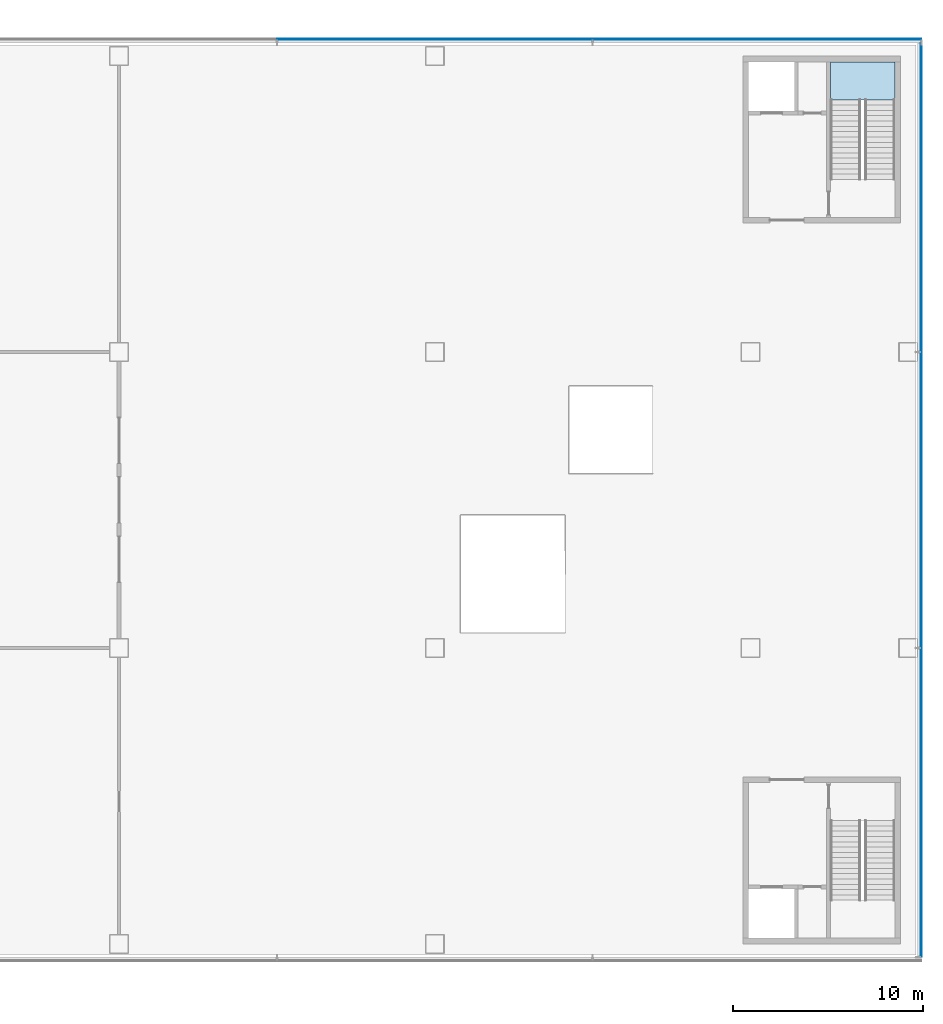
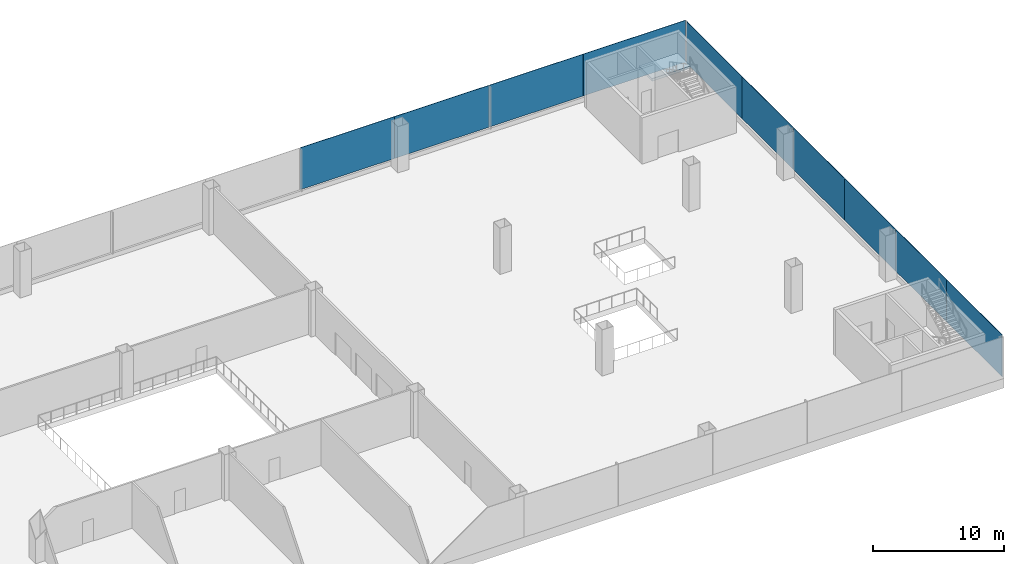
# One storey, part 17 of 53: 10 plates, 1 slab, 3 elements without a shape of their own.
"""IFC4 building model written with IfcOpenShell, lengths in metres."""

import ifcopenshell
import ifcopenshell.guid

model = None  # the IFC model being written
_history = None  # IfcOwnerHistory: only IFC2X3 demands one
_inside = {}  # id of a spatial element -> (the spatial element, [elements in it])
_under = {}  # id of a project, library or spatial element -> (it, [spatial elements below it])
_declared = {}  # id of a project -> (the project, [libraries it declares])
_typed = {}  # id of a type object -> (the type object, [elements of that type])
_made_of = {}  # id of a material, layer set ... -> (it, [elements and type objects made of it])


def new_model(schema):
    """Start an empty IFC model of exactly this schema.

    Asked for "IFC4X3", IfcOpenShell would pick the latest addendum, in which some entities
    have other attributes; the version numbers below select the first issue.
    IFC2X3 requires an IfcOwnerHistory on every rooted entity: one is made here for all.
    """
    global model, _history
    if schema == "IFC4X3":
        model = ifcopenshell.file(schema_version=(4, 3, 0, 0))
    else:
        model = ifcopenshell.file(schema=schema)
    _inside.clear()
    _under.clear()
    _declared.clear()
    _typed.clear()
    _made_of.clear()
    _history = None
    if model.schema == "IFC2X3":
        org = make("IfcOrganization", Name="unknown")
        user = make(
            "IfcPersonAndOrganization",
            ThePerson=make("IfcPerson", FamilyName="unknown"),
            TheOrganization=org,
        )
        app = make(
            "IfcApplication",
            ApplicationDeveloper=org,
            Version="unknown",
            ApplicationFullName="unknown",
            ApplicationIdentifier="unknown",
        )
        _history = make(
            "IfcOwnerHistory",
            OwningUser=user,
            OwningApplication=app,
            ChangeAction="ADDED",
            CreationDate=0,
        )
    return model


def make(cls, **values):
    """One entity of the class cls with the attributes given. An attribute that is None is left unset."""
    return model.create_entity(
        cls, **{name: value for name, value in values.items() if value is not None}
    )


def rooted(cls, **values):
    """An entity with a GlobalId (a new one), such as an element, a storey or a relation."""
    return make(cls, GlobalId=ifcopenshell.guid.new(), OwnerHistory=_history, **values)


def si_unit(unit_type, name, prefix=None):
    """IfcSIUnit, for example si_unit("LENGTHUNIT", "METRE", prefix="MILLI")."""
    return make("IfcSIUnit", UnitType=unit_type, Prefix=prefix, Name=name)


def assignment(units):
    """IfcUnitAssignment: the units of a project."""
    return None if units is None else make("IfcUnitAssignment", Units=units)


def point(xyz):
    """IfcCartesianPoint."""
    return None if xyz is None else make("IfcCartesianPoint", Coordinates=xyz)


def direction(xyz):
    """IfcDirection."""
    return None if xyz is None else make("IfcDirection", DirectionRatios=xyz)


def frame(location, z_axis=None, x_axis=None):
    """IfcAxis2Placement3D, a coordinate frame: its origin and axes. An axis left out is left unset."""
    return make(
        "IfcAxis2Placement3D",
        Location=point(location),
        Axis=direction(z_axis),
        RefDirection=direction(x_axis),
    )


def frame_2d(location, x_axis=None):
    """IfcAxis2Placement2D, a coordinate frame in the plane: its origin and x axis."""
    return make(
        "IfcAxis2Placement2D", Location=point(location), RefDirection=direction(x_axis)
    )


def origin():
    """The frame at (0, 0, 0) with its axes left unset."""
    return frame((0.0, 0.0, 0.0))


def origin_2d():
    """The frame at (0, 0) in the plane with its x axis left unset."""
    return frame_2d((0.0, 0.0))


def place(relative_to, where):
    """IfcLocalPlacement: puts the frame where relative to a parent placement (None: the world)."""
    return make(
        "IfcLocalPlacement", PlacementRelTo=relative_to, RelativePlacement=where
    )


def context(
    kind, dimensions, precision=None, world=None, true_north=None, identifier=None
):
    """IfcGeometricRepresentationContext, for example the 3D "Model" context."""
    return make(
        "IfcGeometricRepresentationContext",
        ContextIdentifier=identifier,
        ContextType=kind,
        CoordinateSpaceDimension=dimensions,
        Precision=precision,
        WorldCoordinateSystem=world,
        TrueNorth=true_north,
    )


def subcontext(parent, identifier, kind, view, scale=None):
    """IfcGeometricRepresentationSubContext, for example "Body" below "Model"."""
    return make(
        "IfcGeometricRepresentationSubContext",
        ContextIdentifier=identifier,
        ContextType=kind,
        ParentContext=parent,
        TargetScale=scale,
        TargetView=view,
    )


def project(units=None, contexts=None):
    """IfcProject with its units and contexts."""
    return rooted(
        "IfcProject",
        Name="project",
        RepresentationContexts=contexts,
        UnitsInContext=assignment(units),
    )


def spatial(cls, under=None, at=None, **own):
    """A site, building, storey or space (cls), placed at a placement, below another one or the project."""
    s = rooted(cls, ObjectPlacement=at, **own)
    if under is not None:
        _under.setdefault(under.id(), (under, []))[1].append(s)
    return s


def polyline(points):
    """IfcPolyline through the points."""
    return make("IfcPolyline", Points=[point(p) for p in points])


def profile(cls, at=None, kind="AREA", **sizes):
    """A parametric profile (cls). Its sizes go by their IFC names, for example OverallWidth=200.0."""
    return make(cls, ProfileType=kind, Position=at, **sizes)


def rectangle(**sizes):
    """IfcRectangleProfileDef."""
    return profile("IfcRectangleProfileDef", **sizes)


def outline(outer, holes=None, kind="AREA"):
    """IfcArbitraryClosedProfileDef: a profile drawn as a closed curve; with holes, ...WithVoids."""
    if holes is None:
        return make("IfcArbitraryClosedProfileDef", ProfileType=kind, OuterCurve=outer)
    return make(
        "IfcArbitraryProfileDefWithVoids",
        ProfileType=kind,
        OuterCurve=outer,
        InnerCurves=holes,
    )


def extrude(swept, where, along, depth):
    """IfcExtrudedAreaSolid: the profile swept, set in the frame where, extruded along a direction by depth."""
    return make(
        "IfcExtrudedAreaSolid",
        SweptArea=swept,
        Position=where,
        ExtrudedDirection=direction(along),
        Depth=depth,
    )


def shape(context_of_items, identifier, shape_type, items):
    """IfcShapeRepresentation: the items that make up one representation, for example the "Body"."""
    return make(
        "IfcShapeRepresentation",
        ContextOfItems=context_of_items,
        RepresentationIdentifier=identifier,
        RepresentationType=shape_type,
        Items=items,
    )


def material(Name=None, Category=None):
    """IfcMaterial."""
    return make("IfcMaterial", Name=Name, Category=Category)


def layer(
    of_material, thickness, ventilated=None, Name=None, Category=None, Priority=None
):
    """IfcMaterialLayer: one layer of a wall or slab, of a material (None: an air gap)."""
    return make(
        "IfcMaterialLayer",
        Material=of_material,
        LayerThickness=thickness,
        IsVentilated=ventilated,
        Name=Name,
        Category=Category,
        Priority=Priority,
    )


def layer_set(layers, Name=None):
    """IfcMaterialLayerSet."""
    return make("IfcMaterialLayerSet", MaterialLayers=layers, LayerSetName=Name)


def made_of(thing, what):
    """Note that an element or type object is made of a material, layer set ...; save() writes the relation."""
    if what is not None:
        _made_of.setdefault(what.id(), (what, []))[1].append(thing)
    return thing


def type_object(cls, material=None, **own):
    """A type object (cls), such as IfcWallType, which elements share."""
    return made_of(rooted(cls, **own), material)


def element(
    cls,
    number,
    at=None,
    inside=None,
    cuts=None,
    type_object=None,
    material=None,
    context=None,
    identifier="Body",
    shape_type=None,
    held_by="IfcProductDefinitionShape",
    body=None,
    shapes=None,
    **own,
):
    """One element of the class cls, such as IfcWall. Its Tag is "e" and its number.

    at: its placement. inside: the storey or other place that contains it. cuts: it is an
    opening in that element (IfcRelVoidsElement). A single representation is given by context,
    identifier, shape_type and body (its items); several are given by shapes. held_by: the class
    of the entity that holds the representations. save() writes the other relations.
    """
    e = rooted(cls, Tag="e%d" % number, ObjectPlacement=at, **own)
    if body is not None:
        shapes = [shape(context, identifier, shape_type, body)]
    if shapes is not None:
        e.Representation = make(held_by, Representations=shapes)
    if inside is not None:
        _inside.setdefault(inside.id(), (inside, []))[1].append(e)
    if cuts is not None:
        rooted(
            "IfcRelVoidsElement", RelatingBuildingElement=cuts, RelatedOpeningElement=e
        )
    if type_object is not None:
        _typed.setdefault(type_object.id(), (type_object, []))[1].append(e)
    return made_of(e, material)


def aggregate(whole, parts):
    """IfcRelAggregates: a whole, such as a stair, and the parts it consists of."""
    return rooted("IfcRelAggregates", RelatingObject=whole, RelatedObjects=parts)


def save(model, path):
    """Write the relations noted so far, then the file.

    IfcRelAggregates (storeys below a building ...), IfcRelContainedInSpatialStructure (elements
    in a storey), IfcRelDefinesByType, IfcRelAssociatesMaterial and IfcRelDeclares: one each for
    every whole, place, type object, material and project.
    """
    for whole, parts in _under.values():
        aggregate(whole, parts)
    for where, things in _inside.values():
        rooted(
            "IfcRelContainedInSpatialStructure",
            RelatedElements=things,
            RelatingStructure=where,
        )
    for kind, things in _typed.values():
        rooted("IfcRelDefinesByType", RelatedObjects=things, RelatingType=kind)
    for what, things in _made_of.values():
        rooted("IfcRelAssociatesMaterial", RelatedObjects=things, RelatingMaterial=what)
    for by, libraries in _declared.values():
        rooted("IfcRelDeclares", RelatingContext=by, RelatedDefinitions=libraries)
    model.write(path)


model = new_model("IFC4")

# Units and contexts
model_context = context("Model", 3, precision=1e-05, world=origin(), true_north=direction((0.0, 1.0)))
body_context = subcontext(model_context, "Body", "Model", "MODEL_VIEW")
ifc_project = project(units=[si_unit("LENGTHUNIT", "METRE"), si_unit("AREAUNIT", "SQUARE_METRE"), si_unit("VOLUMEUNIT", "CUBIC_METRE"), si_unit("PLANEANGLEUNIT", "RADIAN"), si_unit("MASSUNIT", "GRAM", prefix="KILO")], contexts=[model_context])

# Site, building, storey
site_placement = place(None, origin())
site = spatial("IfcSite", under=ifc_project, at=site_placement, CompositionType="ELEMENT")
building_placement = place(site_placement, origin())
building = spatial("IfcBuilding", under=site, at=building_placement, Name="Hakoniwa Tower and Hamabe Station Hall", CompositionType="ELEMENT")
storey_placement = place(building_placement, frame((0.0, 0.0, 15.0)))
storey = spatial("IfcBuildingStorey", under=building, at=storey_placement, Name="L03", CompositionType="ELEMENT", Elevation=15.0)

# Curtain wall, plates
ifc_material_1 = material(Name="Dark low-e laminated glass", Category="glass")
ifc_layer_1 = layer(ifc_material_1, 0.199951171875)
ifc_layer_set_1 = layer_set([ifc_layer_1], Name="CW-7 STATION")
curtain_wall_type = type_object("IfcCurtainWallType", Name="CW-7 STATION", PredefinedType="NOTDEFINED", material=ifc_layer_set_1)
curtain_wall_1_placement = place(storey_placement, origin())
curtain_wall_1 = element("IfcCurtainWall", 1, at=curtain_wall_1_placement, inside=storey, type_object=curtain_wall_type, Name="Station curtain wall L03 east", PredefinedType="NOTDEFINED")
ifc_material_2 = material(Name="Dark low-e laminated glass", Category="glass")
ifc_layer_2 = layer(ifc_material_2, 0.0400390625)
ifc_layer_set_2 = layer_set([ifc_layer_2], Name="CW-7 STATION GLASS UNIT")
plate_type = type_object("IfcPlateType", Name="CW-7 STATION GLASS UNIT", PredefinedType="CURTAIN_PANEL", material=ifc_layer_set_2)
plate_1_placement = place(storey_placement, frame((169.8359375, -19.85009765625, 0.35009765625), z_axis=(0.0, 0.0, 1.0), x_axis=(0.0, 1.0, 0.0)))
plate_1 = element("IfcPlate", 2, at=plate_1_placement, type_object=plate_type, Name="CW-7 glass unit", PredefinedType="CURTAIN_PANEL", context=body_context, shape_type="SweptSolid", body=[
    extrude(rectangle(XDim=8.47998046875, YDim=0.0400390625, at=origin_2d()), origin(), (0.0, 0.0, 1.0), 3.89990234375),
])
plate_2_placement = place(storey_placement, frame((169.8359375, -11.699951171875, 0.35009765625), z_axis=(0.0, 0.0, 1.0), x_axis=(0.0, 1.0, 0.0)))
plate_2 = element("IfcPlate", 3, at=plate_2_placement, type_object=plate_type, Name="CW-7 glass unit", PredefinedType="CURTAIN_PANEL", context=body_context, shape_type="SweptSolid", body=[
    extrude(rectangle(XDim=7.780029296875, YDim=0.0400390625, at=origin_2d()), origin(), (0.0, 0.0, 1.0), 3.89990234375),
])
plate_3_placement = place(storey_placement, frame((169.8359375, -3.89990234375, 0.35009765625), z_axis=(0.0, 0.0, 1.0), x_axis=(0.0, 1.0, 0.0)))
plate_3 = element("IfcPlate", 4, at=plate_3_placement, type_object=plate_type, Name="CW-7 glass unit", PredefinedType="CURTAIN_PANEL", context=body_context, shape_type="SweptSolid", body=[
    extrude(rectangle(XDim=7.780029296875, YDim=0.0400390625, at=origin_2d()), origin(), (0.0, 0.0, 1.0), 3.89990234375),
])
plate_4_placement = place(storey_placement, frame((169.8359375, 3.89990234375, 0.35009765625), z_axis=(0.0, 0.0, 1.0), x_axis=(0.0, 1.0, 0.0)))
plate_4 = element("IfcPlate", 5, at=plate_4_placement, type_object=plate_type, Name="CW-7 glass unit", PredefinedType="CURTAIN_PANEL", context=body_context, shape_type="SweptSolid", body=[
    extrude(rectangle(XDim=7.780029296875, YDim=0.0400390625, at=origin_2d()), origin(), (0.0, 0.0, 1.0), 3.89990234375),
])
plate_5_placement = place(storey_placement, frame((169.8359375, 11.699951171875, 0.35009765625), z_axis=(0.0, 0.0, 1.0), x_axis=(0.0, 1.0, 0.0)))
plate_5 = element("IfcPlate", 6, at=plate_5_placement, type_object=plate_type, Name="CW-7 glass unit", PredefinedType="CURTAIN_PANEL", context=body_context, shape_type="SweptSolid", body=[
    extrude(rectangle(XDim=7.780029296875, YDim=0.0400390625, at=origin_2d()), origin(), (0.0, 0.0, 1.0), 3.89990234375),
])
plate_6_placement = place(storey_placement, frame((169.8359375, 19.85009765625, 0.35009765625), z_axis=(0.0, 0.0, 1.0), x_axis=(0.0, 1.0, 0.0)))
plate_6 = element("IfcPlate", 7, at=plate_6_placement, type_object=plate_type, Name="CW-7 glass unit", PredefinedType="CURTAIN_PANEL", context=body_context, shape_type="SweptSolid", body=[
    extrude(rectangle(XDim=8.47998046875, YDim=0.0400390625, at=origin_2d()), origin(), (0.0, 0.0, 1.0), 3.89990234375),
])
aggregate(curtain_wall_1, [plate_1, plate_2, plate_3, plate_4, plate_5, plate_6])

curtain_wall_2_placement = place(storey_placement, origin())
curtain_wall_2 = element("IfcCurtainWall", 8, at=curtain_wall_2_placement, inside=storey, type_object=curtain_wall_type, Name="Station curtain wall L03 north", PredefinedType="NOTDEFINED")
plate_7_placement = place(storey_placement, frame((165.340087890625, 24.285888671875, 0.35009765625), z_axis=(0.0, 0.0, 1.0), x_axis=(-1.0, 0.0, 0.0)))
plate_7 = element("IfcPlate", 9, at=plate_7_placement, type_object=plate_type, Name="CW-7 glass unit", PredefinedType="CURTAIN_PANEL", context=body_context, shape_type="SweptSolid", body=[
    extrude(rectangle(XDim=9.0, YDim=0.0400390625, at=origin_2d()), origin(), (0.0, 0.0, 1.0), 3.89990234375),
])
plate_8_placement = place(storey_placement, frame((156.669921875, 24.285888671875, 0.35009765625), z_axis=(0.0, 0.0, 1.0), x_axis=(-1.0, 0.0, 0.0)))
plate_8 = element("IfcPlate", 10, at=plate_8_placement, type_object=plate_type, Name="CW-7 glass unit", PredefinedType="CURTAIN_PANEL", context=body_context, shape_type="SweptSolid", body=[
    extrude(rectangle(XDim=8.300048828125, YDim=0.0400390625, at=origin_2d()), origin(), (0.0, 0.0, 1.0), 3.89990234375),
])
plate_9_placement = place(storey_placement, frame((148.35009765625, 24.285888671875, 0.35009765625), z_axis=(0.0, 0.0, 1.0), x_axis=(-1.0, 0.0, 0.0)))
plate_9 = element("IfcPlate", 11, at=plate_9_placement, type_object=plate_type, Name="CW-7 glass unit", PredefinedType="CURTAIN_PANEL", context=body_context, shape_type="SweptSolid", body=[
    extrude(rectangle(XDim=8.300048828125, YDim=0.0400390625, at=origin_2d()), origin(), (0.0, 0.0, 1.0), 3.89990234375),
])
plate_10_placement = place(storey_placement, frame((140.030029296875, 24.285888671875, 0.35009765625), z_axis=(0.0, 0.0, 1.0), x_axis=(-1.0, 0.0, 0.0)))
plate_10 = element("IfcPlate", 12, at=plate_10_placement, type_object=plate_type, Name="CW-7 glass unit", PredefinedType="CURTAIN_PANEL", context=body_context, shape_type="SweptSolid", body=[
    extrude(rectangle(XDim=8.300048828125, YDim=0.0400390625, at=origin_2d()), origin(), (0.0, 0.0, 1.0), 3.89990234375),
])
aggregate(curtain_wall_2, [plate_7, plate_8, plate_9, plate_10])

# Stair, slab
ifc_material_3 = material(Name="Concrete C40", Category="concrete")
stair_type = type_object("IfcStairType", Name="STAIR 1600 16X150", PredefinedType="HALF_TURN_STAIR", material=ifc_material_3)
stair_placement = place(storey_placement, origin())
stair = element("IfcStair", 13, at=stair_placement, inside=storey, type_object=stair_type, Name="Escape stair SS2 L03", PredefinedType="HALF_TURN_STAIR")
ifc_material_4 = material(Name="Concrete C40", Category="concrete")
ifc_layer_3 = layer(ifc_material_4, 0.25)
ifc_layer_set_3 = layer_set([ifc_layer_3], Name="STAIR LANDING 250")
slab_type = type_object("IfcSlabType", Name="STAIR LANDING 250", PredefinedType="LANDING", material=ifc_layer_set_3)
slab_placement = place(storey_placement, frame((0.0, 0.0, 2.14990234375)))
slab = element("IfcSlab", 14, at=slab_placement, type_object=slab_type, Name="SS2 landing 1", PredefinedType="LANDING", context=body_context, shape_type="SweptSolid", body=[
    extrude(outline(polyline([(168.449951171875, 21.10009765625), (168.449951171875, 23.10009765625), (165.050048828125, 23.10009765625), (165.050048828125, 21.10009765625), (168.449951171875, 21.10009765625)])), origin(), (0.0, 0.0, 1.0), 0.25),
])
aggregate(stair, [slab])

save(model, "model.ifc")
